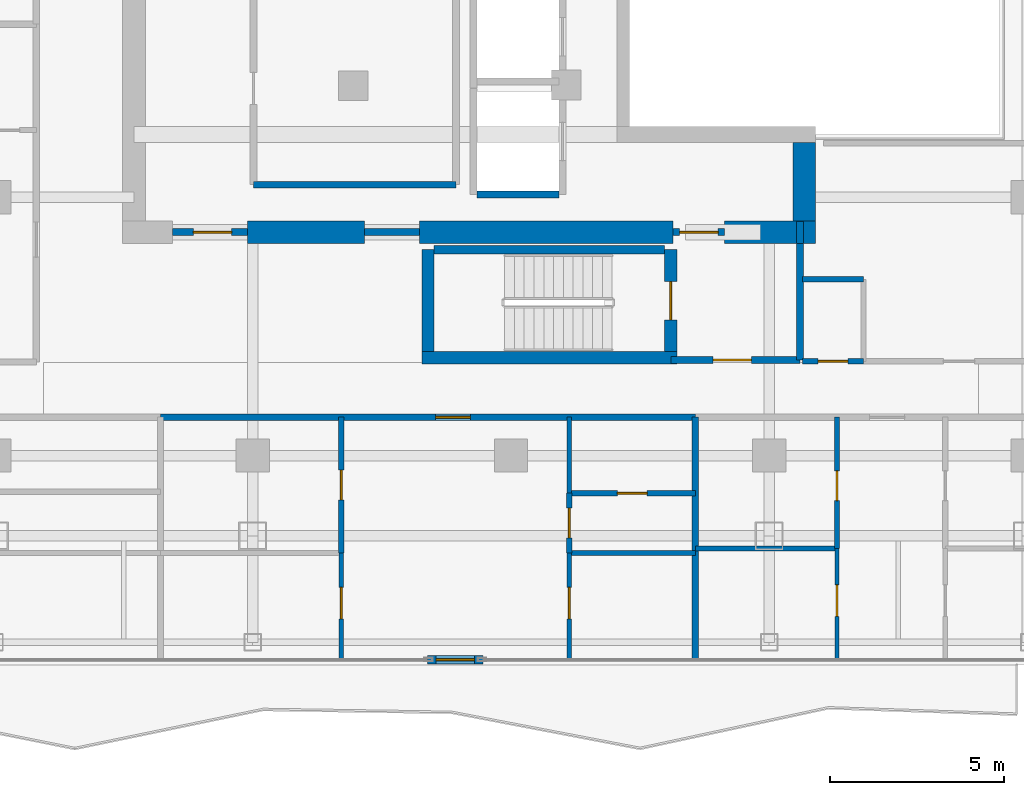
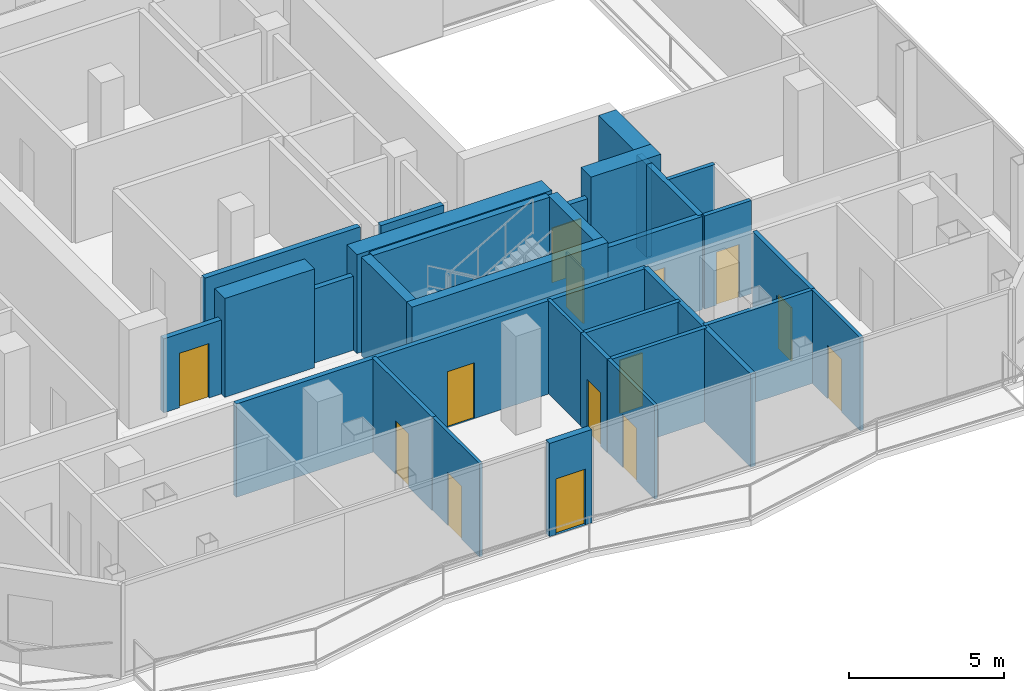
# One storey, part 16 of 23: 31 walls, 14 doors, 14 openings.
"""IFC4 building model written with IfcOpenShell, lengths in metres."""

from ifc_helpers import new_model, si_unit, direction, frame, frame_2d, origin, place, context, subcontext, project, spatial, rectangle, extrude, material, layer, layer_set, type_object, element, fill, save


model = new_model("IFC4")

# Units and contexts
model_context = context("Model", 3, precision=1e-05, world=origin(), true_north=direction((0.0, 1.0)))
body_context = subcontext(model_context, "Body", "Model", "MODEL_VIEW")
ifc_project = project(units=[si_unit("LENGTHUNIT", "METRE"), si_unit("AREAUNIT", "SQUARE_METRE"), si_unit("VOLUMEUNIT", "CUBIC_METRE"), si_unit("PLANEANGLEUNIT", "RADIAN"), si_unit("MASSUNIT", "GRAM", prefix="KILO")], contexts=[model_context])

# Site, building, storey
site_placement = place(None, origin())
site = spatial("IfcSite", under=ifc_project, at=site_placement, CompositionType="ELEMENT")
building_placement = place(site_placement, origin())
building = spatial("IfcBuilding", under=site, at=building_placement, Name="Khorvyn Point Tower", CompositionType="ELEMENT")
storey_placement = place(building_placement, frame((0.0, 0.0, 297.60009765625)))
storey = spatial("IfcBuildingStorey", under=building, at=storey_placement, Name="L73", CompositionType="ELEMENT", Elevation=297.60009765625)

# Wall, opening, door
ifc_material_1 = material(Name="Double acoustic gypsum on twin steel stud", Category="steel")
ifc_layer_1 = layer(ifc_material_1, 0.179931640625)
ifc_layer_set_1 = layer_set([ifc_layer_1], Name="Acoustic Double-Stud Apartment Demising Wall 180")
wall_type_1 = type_object("IfcWallType", Name="Acoustic Double-Stud Apartment Demising Wall 180", PredefinedType="PARTITIONING", material=ifc_layer_set_1)
wall_1_placement = place(storey_placement, frame((-10.0400390625, -13.699951171875, 0.0), z_axis=(0.0, 0.0, 1.0), x_axis=(1.0, 0.0, 0.0)))
wall_1 = element("IfcWall", 1, at=wall_1_placement, inside=storey, type_object=wall_type_1, Name="Wall", PredefinedType="PARTITIONING", context=body_context, shape_type="SweptSolid", body=[
    extrude(rectangle(XDim=15.322998046875, YDim=0.179931640625, at=frame_2d((7.66162109375, 0.0))), origin(), (0.0, 0.0, 1.0), 3.679931640625),
])
opening_1_placement = place(wall_1_placement, frame((7.879638671875, 0.0, 0.0)))
opening_1 = element("IfcOpeningElement", 2, at=opening_1_placement, cuts=wall_1, Name="Opening ID-AP60", PredefinedType="OPENING", context=body_context, shape_type="SweptSolid", body=[
    extrude(rectangle(XDim=1.0, YDim=2.199951171875, at=frame_2d((0.5, 1.10009765625))), frame((0.0, 0.099853515625, 0.0), z_axis=(0.0, -1.0, 0.0), x_axis=(1.0, 0.0, 0.0)), (0.0, 0.0, 1.0), 0.199951171875),
])
ifc_material_2 = material(Name="Engineered hardwood fire-rated leaf", Category="wood")
door_type_1 = type_object("IfcDoorType", Name="Acoustic Solid-Core Timber Apartment Entrance Door 1000x2200", OperationType="NOTDEFINED", PredefinedType="DOOR", material=ifc_material_2)
door_1_placement = place(opening_1_placement, origin())
door_1 = element("IfcDoor", 3, at=door_1_placement, inside=storey, type_object=door_type_1, Name="Door", OperationType="SINGLE_SWING_RIGHT", OverallHeight=2.199951171875, OverallWidth=1.0, PredefinedType="DOOR", context=body_context, shape_type="SweptSolid", body=[
    extrude(rectangle(XDim=1.0, YDim=2.199951171875, at=frame_2d((0.5, 1.10009765625))), frame((0.0, 0.02490234375, 0.0), z_axis=(0.0, -1.0, 0.0), x_axis=(1.0, 0.0, 0.0)), (0.0, 0.0, 1.0), 0.050048828125),
])
fill(opening_1, door_1)

# Wall
wall_2_placement = place(storey_placement, frame((5.282958984375, -20.6298828125, 0.0), z_axis=(0.0, 0.0, 1.0), x_axis=(0.0, 1.0, 0.0)))
element("IfcWall", 4, at=wall_2_placement, inside=storey, type_object=wall_type_1, Name="Wall", PredefinedType="PARTITIONING", context=body_context, shape_type="SweptSolid", body=[
    extrude(rectangle(XDim=6.929931640625, YDim=0.179931640625, at=frame_2d((3.46484375, 0.0))), origin(), (0.0, 0.0, 1.0), 3.679931640625),
])

# Wall, opening, door
ifc_material_3 = material(Name="Pale anodised aluminium rainscreen on steel stud", Category="steel")
ifc_layer_2 = layer(ifc_material_3, 0.239990234375)
ifc_layer_set_2 = layer_set([ifc_layer_2], Name="Anodised Aluminium Insulated Corner Spandrel Wall 240")
wall_type_2 = type_object("IfcWallType", Name="Anodised Aluminium Insulated Corner Spandrel Wall 240", PredefinedType="SOLIDWALL", material=ifc_layer_set_2)
wall_3_placement = place(storey_placement, frame((-0.806884765625, -20.64990234375, 0.0), z_axis=(0.0, 0.0, 1.0), x_axis=(-1.0, 0.0, 0.0)))
wall_3 = element("IfcWall", 5, at=wall_3_placement, inside=storey, type_object=wall_type_2, Name="L73 South Outdoor Threshold Wall", PredefinedType="SOLIDWALL", context=body_context, shape_type="SweptSolid", body=[
    extrude(rectangle(XDim=1.580078125, YDim=0.239990234375, at=frame_2d((0.7900390625, 0.0))), origin(), (0.0, 0.0, 1.0), 3.679931640625),
])
opening_2_placement = place(wall_3_placement, frame((0.239990234375, 0.0, 0.0)))
opening_2 = element("IfcOpeningElement", 6, at=opening_2_placement, cuts=wall_3, Name="Opening BD-1122", PredefinedType="OPENING", context=body_context, shape_type="SweptSolid", body=[
    extrude(rectangle(XDim=1.10009765625, YDim=2.199951171875, at=frame_2d((0.550048828125, 1.10009765625))), frame((0.0, 0.1298828125, 0.0), z_axis=(0.0, -1.0, 0.0), x_axis=(1.0, 0.0, 0.0)), (0.0, 0.0, 1.0), 0.260009765625),
])
ifc_material_4 = material(Name="Anodised aluminium 6063-T6 and laminated Low-E glass", Category="aluminium")
door_type_2 = type_object("IfcDoorType", Name="Glazed Balcony and Terrace Threshold Door 1100x2200", OperationType="NOTDEFINED", PredefinedType="DOOR", material=ifc_material_4)
door_2_placement = place(opening_2_placement, origin())
door_2 = element("IfcDoor", 7, at=door_2_placement, inside=storey, type_object=door_type_2, Name="L73 South Glazed Balcony Outdoor Door", OperationType="SINGLE_SWING_LEFT", OverallHeight=2.199951171875, OverallWidth=1.10009765625, PredefinedType="DOOR", context=body_context, shape_type="SweptSolid", body=[
    extrude(rectangle(XDim=1.10009765625, YDim=2.199951171875, at=frame_2d((0.550048828125, 1.10009765625))), frame((0.0, 0.02490234375, 0.0), z_axis=(0.0, -1.0, 0.0), x_axis=(1.0, 0.0, 0.0)), (0.0, 0.0, 1.0), 0.050048828125),
])
fill(opening_2, door_2)

# Walls
ifc_material_5 = material(Name="Concrete C40/50", Category="concrete")
ifc_layer_3 = layer(ifc_material_5, 0.64990234375)
ifc_layer_set_3 = layer_set([ifc_layer_3], Name="Concrete C40/50 Core Shear Wall 650")
wall_type_3 = type_object("IfcWallType", Name="Concrete C40/50 Core Shear Wall 650", PredefinedType="SHEAR", material=ifc_layer_set_3)
wall_4_placement = place(storey_placement, frame((-7.550048828125, -8.39990234375, 0.0), z_axis=(0.0, 0.0, 1.0), x_axis=(1.0, 0.0, 0.0)))
element("IfcWall", 8, at=wall_4_placement, inside=storey, type_object=wall_type_3, Name="Wall", PredefinedType="SHEAR", context=body_context, shape_type="SweptSolid", body=[
    extrude(rectangle(XDim=3.35009765625, YDim=0.64990234375, at=frame_2d((1.675048828125, 0.0))), origin(), (0.0, 0.0, 1.0), 3.89990234375),
])
wall_5_placement = place(storey_placement, frame((-2.6201171875, -8.39990234375, 0.0), z_axis=(0.0, 0.0, 1.0), x_axis=(1.0, 0.0, 0.0)))
element("IfcWall", 9, at=wall_5_placement, inside=storey, type_object=wall_type_3, Name="Wall", PredefinedType="SHEAR", context=body_context, shape_type="SweptSolid", body=[
    extrude(rectangle(XDim=7.27001953125, YDim=0.64990234375, at=frame_2d((3.635009765625, 0.0))), origin(), (0.0, 0.0, 1.0), 3.89990234375),
])
wall_6_placement = place(storey_placement, frame((6.1201171875, -8.39990234375, 0.0), z_axis=(0.0, 0.0, 1.0), x_axis=(1.0, 0.0, 0.0)))
element("IfcWall", 10, at=wall_6_placement, inside=storey, type_object=wall_type_3, Name="Wall", PredefinedType="SHEAR", context=body_context, shape_type="SweptSolid", body=[
    extrude(rectangle(XDim=2.60498046875, YDim=0.64990234375, at=frame_2d((1.302490234375, 0.0))), origin(), (0.0, 0.0, 1.0), 3.89990234375),
])
wall_7_placement = place(storey_placement, frame((8.39990234375, -8.074951171875, 0.0), z_axis=(0.0, 0.0, 1.0), x_axis=(0.0, 1.0, 0.0)))
element("IfcWall", 11, at=wall_7_placement, inside=storey, type_object=wall_type_3, Name="Wall", PredefinedType="SHEAR", context=body_context, shape_type="SweptSolid", body=[
    extrude(rectangle(XDim=2.25, YDim=0.64990234375, at=frame_2d((1.125, 0.0))), origin(), (0.0, 0.0, 1.0), 3.89990234375),
])

# Wall, opening, door
ifc_layer_4 = layer(ifc_material_5, 0.199951171875)
ifc_layer_set_4 = layer_set([ifc_layer_4], Name="Concrete C40/50 Fire-Lobby Compartment Wall 200")
wall_type_4 = type_object("IfcWallType", Name="Concrete C40/50 Fire-Lobby Compartment Wall 200", PredefinedType="SOLIDWALL", material=ifc_layer_set_4)
wall_8_placement = place(storey_placement, frame((4.580078125, -12.06005859375, 0.0), z_axis=(0.0, 0.0, 1.0), x_axis=(1.0, 0.0, 0.0)))
wall_8 = element("IfcWall", 12, at=wall_8_placement, inside=storey, type_object=wall_type_4, Name="Wall", PredefinedType="SOLIDWALL", context=body_context, shape_type="SweptSolid", body=[
    extrude(rectangle(XDim=3.699951171875, YDim=0.199951171875, at=frame_2d((1.85009765625, 0.0))), origin(), (0.0, 0.0, 1.0), 3.679931640625),
])
opening_3_placement = place(wall_8_placement, frame((1.21240234375, 0.0, 0.0)))
opening_3 = element("IfcOpeningElement", 13, at=opening_3_placement, cuts=wall_8, Name="Opening ID-FL90", PredefinedType="OPENING", context=body_context, shape_type="SweptSolid", body=[
    extrude(rectangle(XDim=1.10009765625, YDim=2.14990234375, at=frame_2d((0.550048828125, 1.074951171875))), frame((0.0, 0.10986328125, 0.0), z_axis=(0.0, -1.0, 0.0), x_axis=(1.0, 0.0, 0.0)), (0.0, 0.0, 1.0), 0.219970703125),
])
ifc_material_6 = material(Name="Galvanised powder-coated steel", Category="steel")
door_type_3 = type_object("IfcDoorType", Name="Fire-Rated Steel Lobby and Stair Door 1100x2150", OperationType="NOTDEFINED", PredefinedType="DOOR", material=ifc_material_6)
door_3_placement = place(opening_3_placement, origin())
door_3 = element("IfcDoor", 14, at=door_3_placement, inside=storey, type_object=door_type_3, Name="Door", OperationType="SINGLE_SWING_RIGHT", OverallHeight=2.14990234375, OverallWidth=1.10009765625, PredefinedType="DOOR", context=body_context, shape_type="SweptSolid", body=[
    extrude(rectangle(XDim=1.10009765625, YDim=2.14990234375, at=frame_2d((0.550048828125, 1.074951171875))), frame((0.0, 0.02490234375, 0.0), z_axis=(0.0, -1.0, 0.0), x_axis=(1.0, 0.0, 0.0)), (0.0, 0.0, 1.0), 0.050048828125),
])
fill(opening_3, door_3)

wall_9_placement = place(storey_placement, frame((4.64990234375, -8.39990234375, 0.0), z_axis=(0.0, 0.0, 1.0), x_axis=(1.0, 0.0, 0.0)))
wall_9 = element("IfcWall", 15, at=wall_9_placement, inside=storey, type_object=wall_type_4, Name="Wall", PredefinedType="SOLIDWALL", context=body_context, shape_type="SweptSolid", body=[
    extrude(rectangle(XDim=1.47021484375, YDim=0.199951171875, at=frame_2d((0.735107421875, 0.0))), origin(), (0.0, 0.0, 1.0), 2.919921875),
])
opening_4_placement = place(wall_9_placement, frame((0.18505859375, 0.0, 0.0)))
opening_4 = element("IfcOpeningElement", 16, at=opening_4_placement, cuts=wall_9, Name="Opening ID-FL90", PredefinedType="OPENING", context=body_context, shape_type="SweptSolid", body=[
    extrude(rectangle(XDim=1.10009765625, YDim=2.14990234375, at=frame_2d((0.550048828125, 1.074951171875))), frame((0.0, 0.10986328125, 0.0), z_axis=(0.0, -1.0, 0.0), x_axis=(1.0, 0.0, 0.0)), (0.0, 0.0, 1.0), 0.219970703125),
])
door_4_placement = place(opening_4_placement, origin())
door_4 = element("IfcDoor", 17, at=door_4_placement, inside=storey, type_object=door_type_3, Name="Door", OperationType="SINGLE_SWING_LEFT", OverallHeight=2.14990234375, OverallWidth=1.10009765625, PredefinedType="DOOR", context=body_context, shape_type="SweptSolid", body=[
    extrude(rectangle(XDim=1.10009765625, YDim=2.14990234375, at=frame_2d((0.550048828125, 1.074951171875))), frame((0.0, 0.02490234375, 0.0), z_axis=(0.0, -1.0, 0.0), x_axis=(1.0, 0.0, 0.0)), (0.0, 0.0, 1.0), 0.050048828125),
])
fill(opening_4, door_4)

wall_10_placement = place(storey_placement, frame((-9.699951171875, -8.39990234375, 0.0), z_axis=(0.0, 0.0, 1.0), x_axis=(1.0, 0.0, 0.0)))
wall_10 = element("IfcWall", 18, at=wall_10_placement, inside=storey, type_object=wall_type_4, Name="Wall", PredefinedType="SOLIDWALL", context=body_context, shape_type="SweptSolid", body=[
    extrude(rectangle(XDim=2.14990234375, YDim=0.199951171875, at=frame_2d((1.074951171875, 0.0))), origin(), (0.0, 0.0, 1.0), 2.919921875),
])
opening_5_placement = place(wall_10_placement, frame((0.597900390625, 0.0, 0.0)))
opening_5 = element("IfcOpeningElement", 19, at=opening_5_placement, cuts=wall_10, Name="Opening ID-FL90", PredefinedType="OPENING", context=body_context, shape_type="SweptSolid", body=[
    extrude(rectangle(XDim=1.10009765625, YDim=2.14990234375, at=frame_2d((0.550048828125, 1.074951171875))), frame((0.0, 0.10986328125, 0.0), z_axis=(0.0, -1.0, 0.0), x_axis=(1.0, 0.0, 0.0)), (0.0, 0.0, 1.0), 0.219970703125),
])
door_5_placement = place(opening_5_placement, origin())
door_5 = element("IfcDoor", 20, at=door_5_placement, inside=storey, type_object=door_type_3, Name="Door", OperationType="SINGLE_SWING_LEFT", OverallHeight=2.14990234375, OverallWidth=1.10009765625, PredefinedType="DOOR", context=body_context, shape_type="SweptSolid", body=[
    extrude(rectangle(XDim=1.10009765625, YDim=2.14990234375, at=frame_2d((0.550048828125, 1.074951171875))), frame((0.0, 0.02490234375, 0.0), z_axis=(0.0, -1.0, 0.0), x_axis=(1.0, 0.0, 0.0)), (0.0, 0.0, 1.0), 0.050048828125),
])
fill(opening_5, door_5)

# Walls
wall_11_placement = place(storey_placement, frame((8.280029296875, -12.06005859375, 0.0), z_axis=(0.0, 0.0, 1.0), x_axis=(0.0, 1.0, 0.0)))
element("IfcWall", 21, at=wall_11_placement, inside=storey, type_object=wall_type_4, Name="Wall", PredefinedType="SOLIDWALL", context=body_context, shape_type="SweptSolid", body=[
    extrude(rectangle(XDim=3.3349609375, YDim=0.199951171875, at=frame_2d((1.66748046875, 0.0))), origin(), (0.0, 0.0, 1.0), 3.679931640625),
])
wall_12_placement = place(storey_placement, frame((-4.199951171875, -8.39990234375, 0.0), z_axis=(0.0, 0.0, 1.0), x_axis=(1.0, 0.0, 0.0)))
element("IfcWall", 22, at=wall_12_placement, inside=storey, type_object=wall_type_4, Name="Wall", PredefinedType="SOLIDWALL", context=body_context, shape_type="SweptSolid", body=[
    extrude(rectangle(XDim=1.579833984375, YDim=0.199951171875, at=frame_2d((0.7900390625, 0.0))), origin(), (0.0, 0.0, 1.0), 2.919921875),
])
wall_13_placement = place(storey_placement, frame((-7.3798828125, -7.0400390625, 0.0), z_axis=(0.0, 0.0, 1.0), x_axis=(1.0, 0.0, 0.0)))
element("IfcWall", 23, at=wall_13_placement, inside=storey, type_object=wall_type_4, Name="Wall", PredefinedType="SOLIDWALL", context=body_context, shape_type="SweptSolid", body=[
    extrude(rectangle(XDim=5.7998046875, YDim=0.199951171875, at=frame_2d((2.89990234375, 0.0))), origin(), (0.0, 0.0, 1.0), 3.679931640625),
])
wall_14_placement = place(storey_placement, frame((8.280029296875, -8.72509765625, 0.0), z_axis=(0.0, 0.0, 1.0), x_axis=(0.0, 1.0, 0.0)))
element("IfcWall", 24, at=wall_14_placement, inside=storey, type_object=wall_type_4, Name="Wall", PredefinedType="SOLIDWALL", context=body_context, shape_type="SweptSolid", body=[
    extrude(rectangle(XDim=0.625, YDim=0.199951171875, at=frame_2d((0.3125, 0.0))), origin(), (0.0, 0.0, 1.0), 3.679931640625),
])
ifc_layer_5 = layer(ifc_material_5, 0.25)
ifc_layer_set_5 = layer_set([ifc_layer_5], Name="Concrete C40/50 Stair Inner Cheek Structural Wall 250")
wall_type_5 = type_object("IfcWallType", Name="Concrete C40/50 Stair Inner Cheek Structural Wall 250", PredefinedType="SHEAR", material=ifc_layer_set_5)
wall_15_placement = place(storey_placement, frame((-2.199951171875, -8.89990234375, 0.0), z_axis=(0.0, 0.0, 1.0), x_axis=(1.0, 0.0, 0.0)))
element("IfcWall", 25, at=wall_15_placement, inside=storey, type_object=wall_type_5, Name="Wall", PredefinedType="SHEAR", context=body_context, shape_type="SweptSolid", body=[
    extrude(rectangle(XDim=6.599853515625, YDim=0.25, at=frame_2d((3.2998046875, 0.0))), origin(), (0.0, 0.0, 1.0), 3.89990234375),
])
ifc_layer_6 = layer(ifc_material_5, 0.35009765625)
ifc_layer_set_6 = layer_set([ifc_layer_6], Name="Concrete C40/50 Stair Shaft Structural Wall 350")
wall_type_6 = type_object("IfcWallType", Name="Concrete C40/50 Stair Shaft Structural Wall 350", PredefinedType="SHEAR", material=ifc_layer_set_6)
wall_16_placement = place(storey_placement, frame((-2.554931640625, -12.0, 0.0), z_axis=(0.0, 0.0, 1.0), x_axis=(1.0, 0.0, 0.0)))
element("IfcWall", 26, at=wall_16_placement, inside=storey, type_object=wall_type_6, Name="L73 ST-01 South Shaft Wall", PredefinedType="SHEAR", context=body_context, shape_type="SweptSolid", body=[
    extrude(rectangle(XDim=7.309814453125, YDim=0.35009765625, at=frame_2d((3.65478515625, 0.0))), origin(), (0.0, 0.0, 1.0), 3.89990234375),
])
wall_17_placement = place(storey_placement, frame((-2.3798828125, -11.824951171875, 0.0), z_axis=(0.0, 0.0, 1.0), x_axis=(0.0, 1.0, 0.0)))
element("IfcWall", 27, at=wall_17_placement, inside=storey, type_object=wall_type_6, Name="L73 ST-01 West Shaft Wall", PredefinedType="SHEAR", context=body_context, shape_type="SweptSolid", body=[
    extrude(rectangle(XDim=2.925048828125, YDim=0.35009765625, at=frame_2d((1.46240234375, 0.0))), origin(), (0.0, 0.0, 1.0), 3.89990234375),
])

# Wall, opening, door
wall_18_placement = place(storey_placement, frame((4.580078125, -8.89990234375, 0.0), z_axis=(0.0, 0.0, 1.0), x_axis=(0.0, -1.0, 0.0)))
wall_18 = element("IfcWall", 28, at=wall_18_placement, inside=storey, type_object=wall_type_6, Name="L73 ST-01 East Landing Door Wall", PredefinedType="SHEAR", context=body_context, shape_type="SweptSolid", body=[
    extrude(rectangle(XDim=2.925048828125, YDim=0.35009765625, at=frame_2d((1.46240234375, 0.0))), origin(), (0.0, 0.0, 1.0), 3.89990234375),
])
opening_6_placement = place(wall_18_placement, frame((0.91259765625, 0.0, 0.0)))
opening_6 = element("IfcOpeningElement", 29, at=opening_6_placement, cuts=wall_18, Name="Opening ID-FL90", PredefinedType="OPENING", context=body_context, shape_type="SweptSolid", body=[
    extrude(rectangle(XDim=1.10009765625, YDim=2.14990234375, at=frame_2d((0.550048828125, 1.074951171875))), frame((0.0, 0.18505859375, 0.0), z_axis=(0.0, -1.0, 0.0), x_axis=(1.0, 0.0, 0.0)), (0.0, 0.0, 1.0), 0.3701171875),
])
door_6_placement = place(opening_6_placement, origin())
door_6 = element("IfcDoor", 30, at=door_6_placement, inside=storey, type_object=door_type_3, Name="L73 ST-01 Smokeproof Landing Door", OperationType="SINGLE_SWING_LEFT", OverallHeight=2.14990234375, OverallWidth=1.10009765625, PredefinedType="DOOR", context=body_context, shape_type="SweptSolid", body=[
    extrude(rectangle(XDim=1.10009765625, YDim=2.14990234375, at=frame_2d((0.550048828125, 1.074951171875))), frame((0.0, 0.02490234375, 0.0), z_axis=(0.0, -1.0, 0.0), x_axis=(1.0, 0.0, 0.0)), (0.0, 0.0, 1.0), 0.050048828125),
])
fill(opening_6, door_6)

# Wall
ifc_layer_7 = layer(ifc_material_5, 0.199951171875)
ifc_layer_set_7 = layer_set([ifc_layer_7], Name="Concrete C40/50 Structural Hoistway and Stair Shaft Wall 200")
wall_type_7 = type_object("IfcWallType", Name="Concrete C40/50 Structural Hoistway and Stair Shaft Wall 200", PredefinedType="SHEAR", material=ifc_layer_set_7)
wall_19_placement = place(storey_placement, frame((-0.97509765625, -7.324951171875, 0.0), z_axis=(0.0, 0.0, 1.0), x_axis=(1.0, 0.0, 0.0)))
element("IfcWall", 31, at=wall_19_placement, inside=storey, type_object=wall_type_7, Name="Wall", PredefinedType="SHEAR", context=body_context, shape_type="SweptSolid", body=[
    extrude(rectangle(XDim=2.35009765625, YDim=0.199951171875, at=frame_2d((1.175048828125, 0.0))), origin(), (0.0, 0.0, 1.0), 3.679931640625),
])

# Wall, opening, door
ifc_material_7 = material(Name="Gypsum plasterboard on steel stud", Category="steel")
ifc_layer_8 = layer(ifc_material_7, 0.1201171875)
ifc_layer_set_8 = layer_set([ifc_layer_8], Name="Gypsum Acoustic Stud Room Partition Wall 120")
wall_type_8 = type_object("IfcWallType", Name="Gypsum Acoustic Stud Room Partition Wall 120", PredefinedType="PARTITIONING", material=ifc_layer_set_8)
wall_20_placement = place(storey_placement, frame((-4.861083984375, -20.6298828125, 0.0), z_axis=(0.0, 0.0, 1.0), x_axis=(0.0, 1.0, 0.0)))
wall_20 = element("IfcWall", 32, at=wall_20_placement, inside=storey, type_object=wall_type_8, Name="Wall", PredefinedType="PARTITIONING", context=body_context, shape_type="SweptSolid", body=[
    extrude(rectangle(XDim=3.039794921875, YDim=0.1201171875, at=frame_2d((1.52001953125, 0.0))), origin(), (0.0, 0.0, 1.0), 3.679931640625),
])
opening_7_placement = place(wall_20_placement, frame((1.152587890625, 0.0, 0.0)))
opening_7 = element("IfcOpeningElement", 33, at=opening_7_placement, cuts=wall_20, Name="Opening ID-RM90", PredefinedType="OPENING", context=body_context, shape_type="SweptSolid", body=[
    extrude(rectangle(XDim=0.89990234375, YDim=2.10009765625, at=frame_2d((0.449951171875, 1.050048828125))), frame((0.0, 0.070068359375, 0.0), z_axis=(0.0, -1.0, 0.0), x_axis=(1.0, 0.0, 0.0)), (0.0, 0.0, 1.0), 0.14013671875),
])
ifc_material_8 = material(Name="Engineered oak veneer timber", Category="wood")
door_type_4 = type_object("IfcDoorType", Name="Flush Engineered Timber Room Door 900x2100", OperationType="NOTDEFINED", PredefinedType="DOOR", material=ifc_material_8)
door_7_placement = place(opening_7_placement, origin())
door_7 = element("IfcDoor", 34, at=door_7_placement, inside=storey, type_object=door_type_4, Name="Door", OperationType="SINGLE_SWING_RIGHT", OverallHeight=2.10009765625, OverallWidth=0.89990234375, PredefinedType="DOOR", context=body_context, shape_type="SweptSolid", body=[
    extrude(rectangle(XDim=0.89990234375, YDim=2.10009765625, at=frame_2d((0.449951171875, 1.050048828125))), frame((0.0, 0.02490234375, 0.0), z_axis=(0.0, -1.0, 0.0), x_axis=(1.0, 0.0, 0.0)), (0.0, 0.0, 1.0), 0.050048828125),
])
fill(opening_7, door_7)

# Wall
wall_21_placement = place(storey_placement, frame((1.66796875, -15.8779296875, 0.0), z_axis=(0.0, 0.0, 1.0), x_axis=(0.0, 1.0, 0.0)))
element("IfcWall", 35, at=wall_21_placement, inside=storey, type_object=wall_type_8, Name="Wall", PredefinedType="PARTITIONING", context=body_context, shape_type="SweptSolid", body=[
    extrude(rectangle(XDim=2.177978515625, YDim=0.1201171875, at=frame_2d((1.0888671875, 0.0))), origin(), (0.0, 0.0, 1.0), 3.679931640625),
])

# Wall, opening, door
wall_22_placement = place(storey_placement, frame((1.66796875, -20.6298828125, 0.0), z_axis=(0.0, 0.0, 1.0), x_axis=(0.0, 1.0, 0.0)))
wall_22 = element("IfcWall", 36, at=wall_22_placement, inside=storey, type_object=wall_type_8, Name="Wall", PredefinedType="PARTITIONING", context=body_context, shape_type="SweptSolid", body=[
    extrude(rectangle(XDim=3.039794921875, YDim=0.1201171875, at=frame_2d((1.52001953125, 0.0))), origin(), (0.0, 0.0, 1.0), 3.679931640625),
])
opening_8_placement = place(wall_22_placement, frame((1.152587890625, 0.0, 0.0)))
opening_8 = element("IfcOpeningElement", 37, at=opening_8_placement, cuts=wall_22, Name="Opening ID-RM90", PredefinedType="OPENING", context=body_context, shape_type="SweptSolid", body=[
    extrude(rectangle(XDim=0.89990234375, YDim=2.10009765625, at=frame_2d((0.449951171875, 1.050048828125))), frame((0.0, 0.070068359375, 0.0), z_axis=(0.0, -1.0, 0.0), x_axis=(1.0, 0.0, 0.0)), (0.0, 0.0, 1.0), 0.14013671875),
])
door_8_placement = place(opening_8_placement, origin())
door_8 = element("IfcDoor", 38, at=door_8_placement, inside=storey, type_object=door_type_4, Name="Door", OperationType="SINGLE_SWING_LEFT", OverallHeight=2.10009765625, OverallWidth=0.89990234375, PredefinedType="DOOR", context=body_context, shape_type="SweptSolid", body=[
    extrude(rectangle(XDim=0.89990234375, YDim=2.10009765625, at=frame_2d((0.449951171875, 1.050048828125))), frame((0.0, 0.02490234375, 0.0), z_axis=(0.0, -1.0, 0.0), x_axis=(1.0, 0.0, 0.0)), (0.0, 0.0, 1.0), 0.050048828125),
])
fill(opening_8, door_8)

wall_23_placement = place(storey_placement, frame((9.343017578125, -20.6298828125, 0.0), z_axis=(0.0, 0.0, 1.0), x_axis=(0.0, 1.0, 0.0)))
wall_23 = element("IfcWall", 39, at=wall_23_placement, inside=storey, type_object=wall_type_8, Name="Wall", PredefinedType="PARTITIONING", context=body_context, shape_type="SweptSolid", body=[
    extrude(rectangle(XDim=3.1689453125, YDim=0.1201171875, at=frame_2d((1.58447265625, 0.0))), origin(), (0.0, 0.0, 1.0), 3.679931640625),
])
opening_9_placement = place(wall_23_placement, frame((1.22314453125, 0.0, 0.0)))
opening_9 = element("IfcOpeningElement", 40, at=opening_9_placement, cuts=wall_23, Name="Opening ID-RM90", PredefinedType="OPENING", context=body_context, shape_type="SweptSolid", body=[
    extrude(rectangle(XDim=0.89990234375, YDim=2.10009765625, at=frame_2d((0.449951171875, 1.050048828125))), frame((0.0, 0.070068359375, 0.0), z_axis=(0.0, -1.0, 0.0), x_axis=(1.0, 0.0, 0.0)), (0.0, 0.0, 1.0), 0.14013671875),
])
door_9_placement = place(opening_9_placement, origin())
door_9 = element("IfcDoor", 41, at=door_9_placement, inside=storey, type_object=door_type_4, Name="Door", OperationType="SINGLE_SWING_RIGHT", OverallHeight=2.10009765625, OverallWidth=0.89990234375, PredefinedType="DOOR", context=body_context, shape_type="SweptSolid", body=[
    extrude(rectangle(XDim=0.89990234375, YDim=2.10009765625, at=frame_2d((0.449951171875, 1.050048828125))), frame((0.0, 0.02490234375, 0.0), z_axis=(0.0, -1.0, 0.0), x_axis=(1.0, 0.0, 0.0)), (0.0, 0.0, 1.0), 0.050048828125),
])
fill(opening_9, door_9)

ifc_material_9 = material(Name="Moisture-resistant gypsum and cement board", Category="gypsum")
ifc_layer_9 = layer(ifc_material_9, 0.14990234375)
ifc_layer_set_9 = layer_set([ifc_layer_9], Name="Moisture-Resistant Wet-Room Partition Wall 150")
wall_type_9 = type_object("IfcWallType", Name="Moisture-Resistant Wet-Room Partition Wall 150", PredefinedType="PARTITIONING", material=ifc_layer_set_9)
wall_24_placement = place(storey_placement, frame((8.360107421875, -12.10009765625, 0.0), z_axis=(0.0, 0.0, 1.0), x_axis=(1.0, 0.0, 0.0)))
wall_24 = element("IfcWall", 42, at=wall_24_placement, inside=storey, type_object=wall_type_9, Name="Wall", PredefinedType="PARTITIONING", context=body_context, shape_type="SweptSolid", body=[
    extrude(rectangle(XDim=1.739990234375, YDim=0.14990234375, at=frame_2d((0.8701171875, 0.0))), origin(), (0.0, 0.0, 1.0), 3.679931640625),
])
opening_10_placement = place(wall_24_placement, frame((0.445068359375, 0.0, 0.0)))
opening_10 = element("IfcOpeningElement", 43, at=opening_10_placement, cuts=wall_24, Name="Opening ID-WC85", PredefinedType="OPENING", context=body_context, shape_type="SweptSolid", body=[
    extrude(rectangle(XDim=0.85009765625, YDim=2.10009765625, at=frame_2d((0.425048828125, 1.050048828125))), frame((0.0, 0.0849609375, 0.0), z_axis=(0.0, -1.0, 0.0), x_axis=(1.0, 0.0, 0.0)), (0.0, 0.0, 1.0), 0.169921875),
])
ifc_material_10 = material(Name="High-pressure laminate on moisture-resistant core", Category="wood")
door_type_5 = type_object("IfcDoorType", Name="Moisture-Resistant Accessible Washroom Door 850x2100", OperationType="NOTDEFINED", PredefinedType="DOOR", material=ifc_material_10)
door_10_placement = place(opening_10_placement, origin())
door_10 = element("IfcDoor", 44, at=door_10_placement, inside=storey, type_object=door_type_5, Name="Door", OperationType="SINGLE_SWING_LEFT", OverallHeight=2.10009765625, OverallWidth=0.85009765625, PredefinedType="DOOR", context=body_context, shape_type="SweptSolid", body=[
    extrude(rectangle(XDim=0.85009765625, YDim=2.10009765625, at=frame_2d((0.425048828125, 1.050048828125))), frame((0.0, 0.02490234375, 0.0), z_axis=(0.0, -1.0, 0.0), x_axis=(1.0, 0.0, 0.0)), (0.0, 0.0, 1.0), 0.050048828125),
])
fill(opening_10, door_10)

wall_25_placement = place(storey_placement, frame((-4.861083984375, -17.590087890625, 0.0), z_axis=(0.0, 0.0, 1.0), x_axis=(0.0, 1.0, 0.0)))
wall_25 = element("IfcWall", 45, at=wall_25_placement, inside=storey, type_object=wall_type_9, Name="Wall", PredefinedType="PARTITIONING", context=body_context, shape_type="SweptSolid", body=[
    extrude(rectangle(XDim=3.89013671875, YDim=0.14990234375, at=frame_2d((1.945068359375, 0.0))), origin(), (0.0, 0.0, 1.0), 3.679931640625),
])
opening_11_placement = place(wall_25_placement, frame((1.52001953125, 0.0, 0.0)))
opening_11 = element("IfcOpeningElement", 46, at=opening_11_placement, cuts=wall_25, Name="Opening ID-WC85", PredefinedType="OPENING", context=body_context, shape_type="SweptSolid", body=[
    extrude(rectangle(XDim=0.85009765625, YDim=2.10009765625, at=frame_2d((0.425048828125, 1.050048828125))), frame((0.0, 0.0849609375, 0.0), z_axis=(0.0, -1.0, 0.0), x_axis=(1.0, 0.0, 0.0)), (0.0, 0.0, 1.0), 0.169921875),
])
door_11_placement = place(opening_11_placement, origin())
door_11 = element("IfcDoor", 47, at=door_11_placement, inside=storey, type_object=door_type_5, Name="Door", OperationType="SINGLE_SWING_LEFT", OverallHeight=2.10009765625, OverallWidth=0.85009765625, PredefinedType="DOOR", context=body_context, shape_type="SweptSolid", body=[
    extrude(rectangle(XDim=0.85009765625, YDim=2.10009765625, at=frame_2d((0.425048828125, 1.050048828125))), frame((0.0, 0.02490234375, 0.0), z_axis=(0.0, -1.0, 0.0), x_axis=(1.0, 0.0, 0.0)), (0.0, 0.0, 1.0), 0.050048828125),
])
fill(opening_11, door_11)

wall_26_placement = place(storey_placement, frame((1.66796875, -17.590087890625, 0.0), z_axis=(0.0, 0.0, 1.0), x_axis=(0.0, 1.0, 0.0)))
wall_26 = element("IfcWall", 48, at=wall_26_placement, inside=storey, type_object=wall_type_9, Name="Wall", PredefinedType="PARTITIONING", context=body_context, shape_type="SweptSolid", body=[
    extrude(rectangle(XDim=1.712158203125, YDim=0.14990234375, at=frame_2d((0.85595703125, 0.0))), origin(), (0.0, 0.0, 1.0), 3.679931640625),
])
opening_12_placement = place(wall_26_placement, frame((0.430908203125, 0.0, 0.0)))
opening_12 = element("IfcOpeningElement", 49, at=opening_12_placement, cuts=wall_26, Name="Opening ID-WC85", PredefinedType="OPENING", context=body_context, shape_type="SweptSolid", body=[
    extrude(rectangle(XDim=0.85009765625, YDim=2.10009765625, at=frame_2d((0.425048828125, 1.050048828125))), frame((0.0, 0.0849609375, 0.0), z_axis=(0.0, -1.0, 0.0), x_axis=(1.0, 0.0, 0.0)), (0.0, 0.0, 1.0), 0.169921875),
])
door_12_placement = place(opening_12_placement, origin())
door_12 = element("IfcDoor", 50, at=door_12_placement, inside=storey, type_object=door_type_5, Name="Door", OperationType="SINGLE_SWING_LEFT", OverallHeight=2.10009765625, OverallWidth=0.85009765625, PredefinedType="DOOR", context=body_context, shape_type="SweptSolid", body=[
    extrude(rectangle(XDim=0.85009765625, YDim=2.10009765625, at=frame_2d((0.425048828125, 1.050048828125))), frame((0.0, 0.02490234375, 0.0), z_axis=(0.0, -1.0, 0.0), x_axis=(1.0, 0.0, 0.0)), (0.0, 0.0, 1.0), 0.050048828125),
])
fill(opening_12, door_12)

wall_27_placement = place(storey_placement, frame((9.343017578125, -17.4609375, 0.0), z_axis=(0.0, 0.0, 1.0), x_axis=(0.0, 1.0, 0.0)))
wall_27 = element("IfcWall", 51, at=wall_27_placement, inside=storey, type_object=wall_type_9, Name="Wall", PredefinedType="PARTITIONING", context=body_context, shape_type="SweptSolid", body=[
    extrude(rectangle(XDim=3.760986328125, YDim=0.14990234375, at=frame_2d((1.88037109375, 0.0))), origin(), (0.0, 0.0, 1.0), 3.679931640625),
])
opening_13_placement = place(wall_27_placement, frame((1.369140625, 0.0, 0.0)))
opening_13 = element("IfcOpeningElement", 52, at=opening_13_placement, cuts=wall_27, Name="Opening ID-WC85", PredefinedType="OPENING", context=body_context, shape_type="SweptSolid", body=[
    extrude(rectangle(XDim=0.85009765625, YDim=2.10009765625, at=frame_2d((0.425048828125, 1.050048828125))), frame((0.0, 0.0849609375, 0.0), z_axis=(0.0, -1.0, 0.0), x_axis=(1.0, 0.0, 0.0)), (0.0, 0.0, 1.0), 0.169921875),
])
door_13_placement = place(opening_13_placement, origin())
door_13 = element("IfcDoor", 53, at=door_13_placement, inside=storey, type_object=door_type_5, Name="Door", OperationType="SINGLE_SWING_LEFT", OverallHeight=2.10009765625, OverallWidth=0.85009765625, PredefinedType="DOOR", context=body_context, shape_type="SweptSolid", body=[
    extrude(rectangle(XDim=0.85009765625, YDim=2.10009765625, at=frame_2d((0.425048828125, 1.050048828125))), frame((0.0, 0.02490234375, 0.0), z_axis=(0.0, -1.0, 0.0), x_axis=(1.0, 0.0, 0.0)), (0.0, 0.0, 1.0), 0.050048828125),
])
fill(opening_13, door_13)

# Wall
wall_28_placement = place(storey_placement, frame((8.360107421875, -9.75, 0.0), z_axis=(0.0, 0.0, 1.0), x_axis=(1.0, 0.0, 0.0)))
element("IfcWall", 54, at=wall_28_placement, inside=storey, type_object=wall_type_9, Name="Wall", PredefinedType="PARTITIONING", context=body_context, shape_type="SweptSolid", body=[
    extrude(rectangle(XDim=1.739990234375, YDim=0.14990234375, at=frame_2d((0.8701171875, 0.0))), origin(), (0.0, 0.0, 1.0), 3.679931640625),
])

# Wall, opening, door
wall_29_placement = place(storey_placement, frame((1.66796875, -15.8779296875, 0.0), z_axis=(0.0, 0.0, 1.0), x_axis=(1.0, 0.0, 0.0)))
wall_29 = element("IfcWall", 55, at=wall_29_placement, inside=storey, type_object=wall_type_9, Name="Wall", PredefinedType="PARTITIONING", context=body_context, shape_type="SweptSolid", body=[
    extrude(rectangle(XDim=3.614990234375, YDim=0.14990234375, at=frame_2d((1.8076171875, 0.0))), origin(), (0.0, 0.0, 1.0), 3.679931640625),
])
opening_14_placement = place(wall_29_placement, frame((1.382568359375, 0.0, 0.0)))
opening_14 = element("IfcOpeningElement", 56, at=opening_14_placement, cuts=wall_29, Name="Opening ID-WC85", PredefinedType="OPENING", context=body_context, shape_type="SweptSolid", body=[
    extrude(rectangle(XDim=0.85009765625, YDim=2.10009765625, at=frame_2d((0.425048828125, 1.050048828125))), frame((0.0, 0.0849609375, 0.0), z_axis=(0.0, -1.0, 0.0), x_axis=(1.0, 0.0, 0.0)), (0.0, 0.0, 1.0), 0.169921875),
])
door_14_placement = place(opening_14_placement, origin())
door_14 = element("IfcDoor", 57, at=door_14_placement, inside=storey, type_object=door_type_5, Name="Door", OperationType="SINGLE_SWING_RIGHT", OverallHeight=2.10009765625, OverallWidth=0.85009765625, PredefinedType="DOOR", context=body_context, shape_type="SweptSolid", body=[
    extrude(rectangle(XDim=0.85009765625, YDim=2.10009765625, at=frame_2d((0.425048828125, 1.050048828125))), frame((0.0, 0.02490234375, 0.0), z_axis=(0.0, -1.0, 0.0), x_axis=(1.0, 0.0, 0.0)), (0.0, 0.0, 1.0), 0.050048828125),
])
fill(opening_14, door_14)

# Walls
wall_30_placement = place(storey_placement, frame((1.66796875, -17.590087890625, 0.0), z_axis=(0.0, 0.0, 1.0), x_axis=(1.0, 0.0, 0.0)))
element("IfcWall", 58, at=wall_30_placement, inside=storey, type_object=wall_type_9, Name="Wall", PredefinedType="PARTITIONING", context=body_context, shape_type="SweptSolid", body=[
    extrude(rectangle(XDim=3.614990234375, YDim=0.14990234375, at=frame_2d((1.8076171875, 0.0))), origin(), (0.0, 0.0, 1.0), 3.679931640625),
])
wall_31_placement = place(storey_placement, frame((5.282958984375, -17.4609375, 0.0), z_axis=(0.0, 0.0, 1.0), x_axis=(1.0, 0.0, 0.0)))
element("IfcWall", 59, at=wall_31_placement, inside=storey, type_object=wall_type_9, Name="Wall", PredefinedType="PARTITIONING", context=body_context, shape_type="SweptSolid", body=[
    extrude(rectangle(XDim=4.06005859375, YDim=0.14990234375, at=frame_2d((2.030029296875, 0.0))), origin(), (0.0, 0.0, 1.0), 3.679931640625),
])

save(model, "model.ifc")
